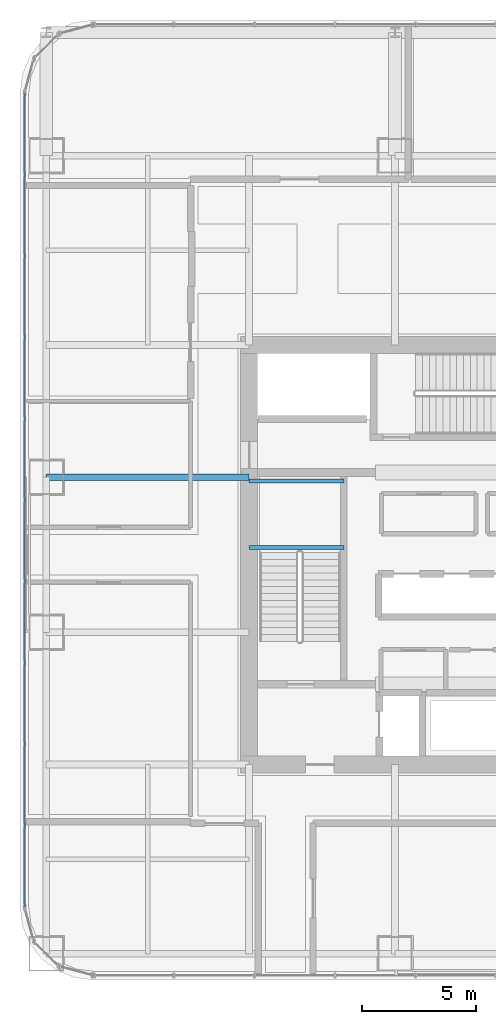
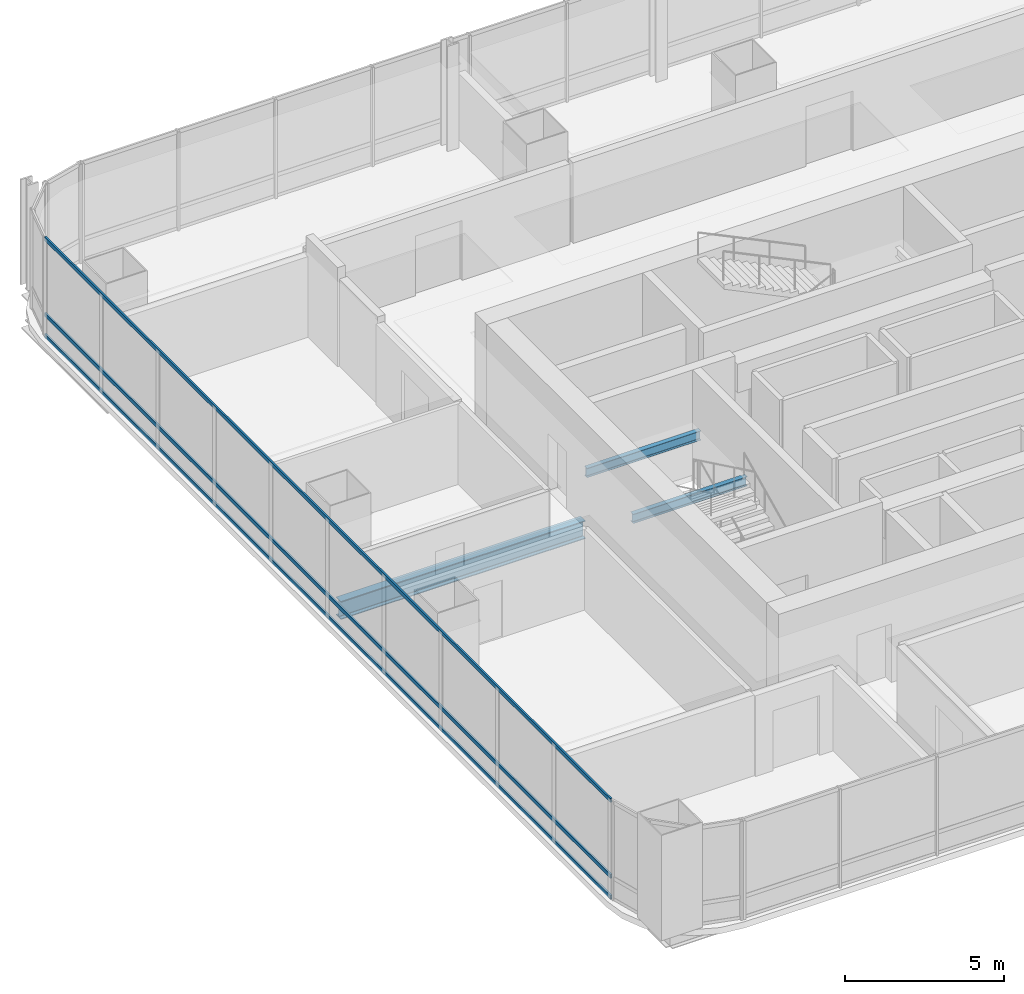
# One storey, part 10 of 34: 3 beams, 3 members, 1 element without a shape of its own.
"""IFC4 building model written with IfcOpenShell, lengths in metres."""

from ifc_helpers import new_model, si_unit, direction, frame, origin, origin_2d, place, context, subcontext, project, spatial, hollow_rectangle, i_section, extrude, material, material_profile, profile_set, type_object, element, aggregate, save


model = new_model("IFC4")

# Units and contexts
model_context = context("Model", 3, precision=1e-05, world=origin(), true_north=direction((0.0, 1.0)))
body_context = subcontext(model_context, "Body", "Model", "MODEL_VIEW")
ifc_project = project(units=[si_unit("LENGTHUNIT", "METRE"), si_unit("AREAUNIT", "SQUARE_METRE"), si_unit("VOLUMEUNIT", "CUBIC_METRE"), si_unit("PLANEANGLEUNIT", "RADIAN"), si_unit("MASSUNIT", "GRAM", prefix="KILO")], contexts=[model_context])

# Site, building, storey
site_placement = place(None, origin())
site = spatial("IfcSite", under=ifc_project, at=site_placement, CompositionType="ELEMENT")
building_placement = place(site_placement, origin())
building = spatial("IfcBuilding", under=site, at=building_placement, Name="Punatoya Terracotta Tower", CompositionType="ELEMENT")
storey_placement = place(building_placement, frame((0.0, 0.0, 101.10009765625)))
storey = spatial("IfcBuildingStorey", under=building, at=storey_placement, Name="L23", CompositionType="ELEMENT", Elevation=101.10009765625)

# Beams
ifc_material_1 = material(Name="Steel S355", Category="steel")
ifc_material_profile_1 = material_profile(ifc_material_1, i_section(OverallWidth=0.300048828125, OverallDepth=0.699951171875, WebThickness=0.01708984375, FlangeThickness=0.031982421875, FilletRadius=0.01806640625, at=origin_2d()))
ifc_profile_set_1 = profile_set([ifc_material_profile_1], Name="Steel S355")
beam_type_1 = type_object("IfcBeamType", Name="BM-PRI-700", PredefinedType="BEAM", material=ifc_profile_set_1)
beam_placement = place(storey_placement, frame((-19.10009765625, 3.39990234375, -0.590087890625), z_axis=(1.0, 0.0, 0.0), x_axis=(0.0, 1.0, 0.0)))
element("IfcBeam", 1, at=beam_placement, inside=storey, type_object=beam_type_1, Name="BM-L23-PR-WE", PredefinedType="BEAM", context=body_context, shape_type="SweptSolid", body=[
    extrude(i_section(OverallWidth=0.300048828125, OverallDepth=0.699951171875, WebThickness=0.01708984375, FlangeThickness=0.031982421875, FilletRadius=0.01806640625, at=origin_2d()), origin(), (0.0, 0.0, 1.0), 8.900146484375),
])
ifc_material_profile_2 = material_profile(ifc_material_1, i_section(OverallWidth=0.169921875, OverallDepth=0.360107421875, WebThickness=0.008056640625, FlangeThickness=0.0126953125, FilletRadius=0.01806640625, at=origin_2d()))
ifc_profile_set_2 = profile_set([ifc_material_profile_2], Name="Steel S355")
beam_type_2 = type_object("IfcBeamType", Name="BM-SEC-360", PredefinedType="JOIST", material=ifc_profile_set_2)
for number, where, z_axis, x_axis, name in (
    (2, (-10.199951171875, 0.320068359375, 1.64501953125), (1.0, 0.0, 0.0), (0.0, 1.0, 0.0), "BM-L23-ST-1-LD1A"),
    (3, (-10.199951171875, 3.22998046875, 1.64501953125), (1.0, 0.0, 0.0), (0.0, 1.0, 0.0), "BM-L23-ST-1-LD1B"),
):
    element("IfcBeam", number, at=place(storey_placement, frame(where, z_axis=z_axis, x_axis=x_axis)), inside=storey, type_object=beam_type_2, Name=name, PredefinedType="JOIST", context=body_context, shape_type="SweptSolid", body=[
        extrude(i_section(OverallWidth=0.169921875, OverallDepth=0.360107421875, WebThickness=0.008056640625, FlangeThickness=0.0126953125, FilletRadius=0.01806640625, at=origin_2d()), origin(), (0.0, 0.0, 1.0), 4.14990234375),
    ])

# Curtain wall, members
ifc_material_2 = material(Name="Aluminium 6063-T6 + Double Low-E Glass", Category="aluminium")
curtain_wall_type = type_object("IfcCurtainWallType", Name="CW-M1", PredefinedType="NOTDEFINED", material=ifc_material_2)
curtain_wall_placement = place(storey_placement, origin())
curtain_wall = element("IfcCurtainWall", 4, at=curtain_wall_placement, inside=storey, type_object=curtain_wall_type, Name="L23 Curtain Wall CW-L23-W13-1", PredefinedType="NOTDEFINED")
ifc_material_3 = material(Name="Aluminium 6063-T6", Category="aluminium")
ifc_material_profile_3 = material_profile(ifc_material_3, hollow_rectangle(XDim=0.068115234375, YDim=0.14990234375, WallThickness=0.00390625, at=origin_2d()))
ifc_profile_set_3 = profile_set([ifc_material_profile_3], Name="Aluminium 6063-T6")
member_type = type_object("IfcMemberType", Name="CW-TRN-TYP", PredefinedType="USERDEFINED", material=ifc_profile_set_3)
member_1_placement = place(storey_placement, frame((-20.050048828125, 20.23681640625, 0.039794921875), z_axis=(0.0, -1.0, 0.0), x_axis=(1.0, 0.0, 0.0)))
member_1 = element("IfcMember", 5, at=member_1_placement, type_object=member_type, Name="CW-L23-W13-1 Transom 1", ObjectType="TRANSOM", PredefinedType="USERDEFINED", context=body_context, shape_type="SweptSolid", body=[
    extrude(hollow_rectangle(XDim=0.068115234375, YDim=0.14990234375, WallThickness=0.00390625, at=origin_2d()), origin(), (0.0, 0.0, 1.0), 35.673828125),
])
member_2_placement = place(storey_placement, frame((-20.050048828125, 20.23681640625, 0.849853515625), z_axis=(0.0, -1.0, 0.0), x_axis=(1.0, 0.0, 0.0)))
member_2 = element("IfcMember", 6, at=member_2_placement, type_object=member_type, Name="CW-L23-W13-1 Transom 2", ObjectType="TRANSOM", PredefinedType="USERDEFINED", context=body_context, shape_type="SweptSolid", body=[
    extrude(hollow_rectangle(XDim=0.068115234375, YDim=0.14990234375, WallThickness=0.00390625, at=origin_2d()), origin(), (0.0, 0.0, 1.0), 35.673828125),
])
member_3_placement = place(storey_placement, frame((-20.050048828125, 20.23681640625, 3.77001953125), z_axis=(0.0, -1.0, 0.0), x_axis=(1.0, 0.0, 0.0)))
member_3 = element("IfcMember", 7, at=member_3_placement, type_object=member_type, Name="CW-L23-W13-1 Transom 3", ObjectType="TRANSOM", PredefinedType="USERDEFINED", context=body_context, shape_type="SweptSolid", body=[
    extrude(hollow_rectangle(XDim=0.068115234375, YDim=0.14990234375, WallThickness=0.00390625, at=origin_2d()), origin(), (0.0, 0.0, 1.0), 35.673828125),
])
aggregate(curtain_wall, [member_1, member_2, member_3])

save(model, "model.ifc")
